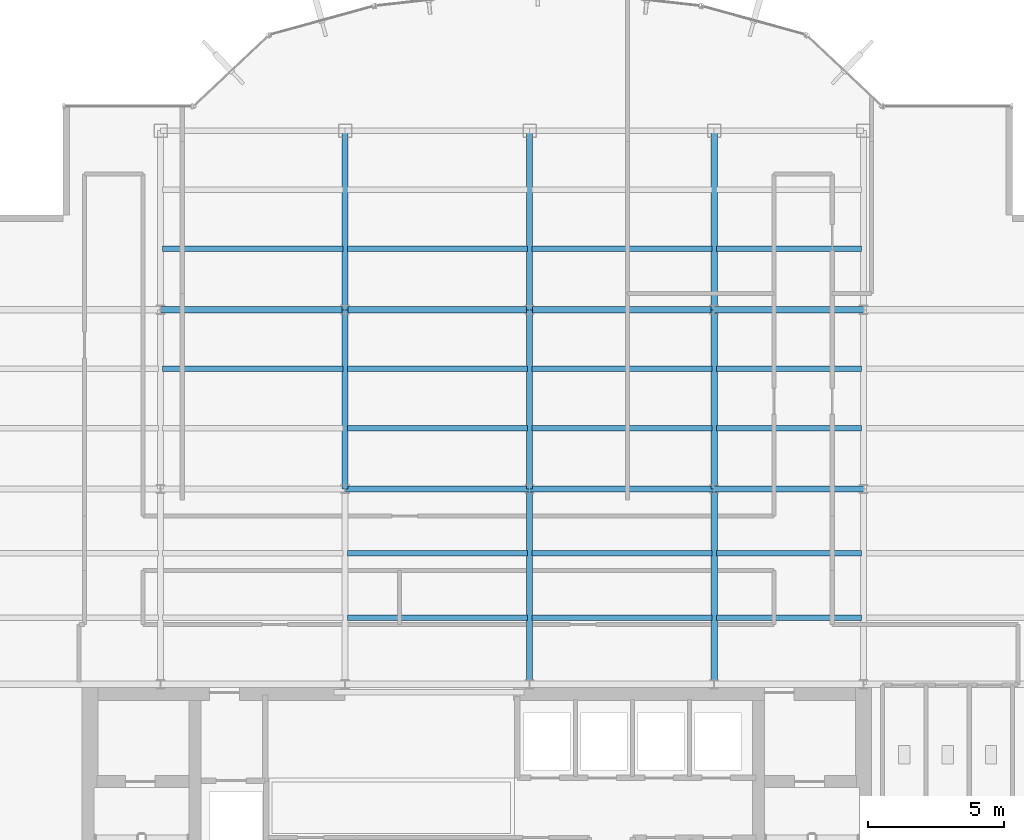
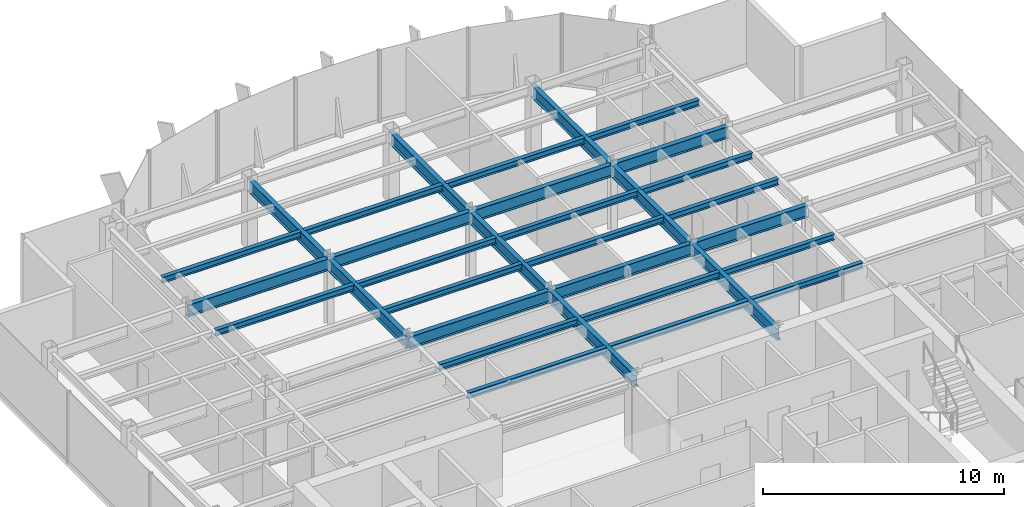
# One storey, part 8 of 22: 32 beams.
"""IFC4 building model written with IfcOpenShell, lengths in metres."""

from ifc_helpers import new_model, si_unit, derived_unit, direction, frame, origin, origin_2d, place, context, subcontext, project, spatial, i_section, extrude, source, transform, mapped, material, material_profile, profile_set, type_object, element, save


model = new_model("IFC4")

# Units and contexts
model_context = context("Model", 3, precision=1e-05, world=origin(), true_north=direction((0.0, 1.0)))
body_context = subcontext(model_context, "Body", "Model", "MODEL_VIEW")
ifc_project = project(units=[si_unit("LENGTHUNIT", "METRE"), si_unit("AREAUNIT", "SQUARE_METRE"), si_unit("VOLUMEUNIT", "CUBIC_METRE"), si_unit("PLANEANGLEUNIT", "RADIAN"), si_unit("MASSUNIT", "GRAM", prefix="KILO"), derived_unit("THERMALTRANSMITTANCEUNIT", [(si_unit("POWERUNIT", "WATT"), 1), (si_unit("LENGTHUNIT", "METRE"), -2), (si_unit("THERMODYNAMICTEMPERATUREUNIT", "KELVIN"), -1)])], contexts=[model_context])

# Site, building, storey
site_placement = place(None, origin())
site = spatial("IfcSite", under=ifc_project, at=site_placement, CompositionType="ELEMENT")
building_placement = place(site_placement, origin())
building = spatial("IfcBuilding", under=site, at=building_placement, Name="Skarnbrae Concourse Arena and Tower", CompositionType="ELEMENT")
storey_placement = place(building_placement, frame((0.0, 0.0, 240.550048828125)))
storey = spatial("IfcBuildingStorey", under=building, at=storey_placement, Name="L62", CompositionType="ELEMENT", Elevation=240.550048828125)

# Beams
ifc_material = material(Name="Steel CSA G40.21 350W", Category="steel")
ifc_material_profile_1 = material_profile(ifc_material, i_section(OverallWidth=0.22802734375, OverallDepth=0.60791015625, WebThickness=0.01123046875, FlangeThickness=0.017333984375, at=origin_2d()), Name="W610X113")
ifc_profile_set_1 = profile_set([ifc_material_profile_1], Name="Steel CSA G40.21 350W")
beam_type_1 = type_object("IfcBeamType", Name="BM-GIRD-W610X113", PredefinedType="BEAM", material=ifc_profile_set_1)
shared_shape_1 = source(origin(), body_context, "Body", "SweptSolid", [
    extrude(i_section(OverallWidth=0.22802734375, OverallDepth=0.60791015625, WebThickness=0.01123046875, FlangeThickness=0.017333984375, at=origin_2d()), origin(), (0.0, 0.0, 1.0), 6.60009765625),
])
for number, where, z_axis, x_axis, name in (
    (1, (14.39990234375, 21.199951171875, 3.095947265625), (0.0, 1.0, 0.0), (-1.0, 0.0, 0.0), "L62 Primary N-S girder X14.4-2"),
    (2, (21.199951171875, 21.199951171875, 3.095947265625), (0.0, 1.0, 0.0), (-1.0, 0.0, 0.0), "L62 Primary N-S girder X21.2-2"),
    (3, (28.0, 21.199951171875, 3.095947265625), (0.0, 1.0, 0.0), (-1.0, 0.0, 0.0), "L62 Primary N-S girder X28.0-2"),
):
    element("IfcBeam", number, at=place(storey_placement, frame(where, z_axis=z_axis, x_axis=x_axis)), inside=storey, type_object=beam_type_1, Name=name, PredefinedType="BEAM", context=body_context, shape_type="MappedRepresentation", body=[
        mapped(shared_shape_1, transform((0.0, 0.0, 0.0))),
    ])
shared_shape_2 = source(origin(), body_context, "Body", "SweptSolid", [
    extrude(i_section(OverallWidth=0.22802734375, OverallDepth=0.60791015625, WebThickness=0.01123046875, FlangeThickness=0.017333984375, at=origin_2d()), origin(), (0.0, 0.0, 1.0), 6.7998046875),
])
beam_placement = place(storey_placement, frame((7.60009765625, 27.800048828125, 3.095947265625), z_axis=(1.0, 0.0, 0.0), x_axis=(0.0, 1.0, 0.0)))
element("IfcBeam", 4, at=beam_placement, inside=storey, type_object=beam_type_1, Name="L62 Primary E-W girder Y27.8-2", PredefinedType="BEAM", context=body_context, shape_type="MappedRepresentation", body=[
    mapped(shared_shape_2, transform((0.0, 0.0, 0.0))),
])
shared_shape_3 = source(origin(), body_context, "Body", "SweptSolid", [
    extrude(i_section(OverallWidth=0.22802734375, OverallDepth=0.60791015625, WebThickness=0.01123046875, FlangeThickness=0.017333984375, at=origin_2d()), origin(), (0.0, 0.0, 1.0), 6.800048828125),
])
for number, where, z_axis, x_axis, name in (
    (5, (14.39990234375, 21.199951171875, 3.095947265625), (1.0, 0.0, 0.0), (0.0, 1.0, 0.0), "L62 Primary E-W girder Y21.2-3"),
    (6, (21.199951171875, 21.199951171875, 3.095947265625), (1.0, 0.0, 0.0), (0.0, 1.0, 0.0), "L62 Primary E-W girder Y21.2-4"),
    (7, (14.39990234375, 27.800048828125, 3.095947265625), (1.0, 0.0, 0.0), (0.0, 1.0, 0.0), "L62 Primary E-W girder Y27.8-3"),
    (8, (21.199951171875, 27.800048828125, 3.095947265625), (1.0, 0.0, 0.0), (0.0, 1.0, 0.0), "L62 Primary E-W girder Y27.8-4"),
):
    element("IfcBeam", number, at=place(storey_placement, frame(where, z_axis=z_axis, x_axis=x_axis)), inside=storey, type_object=beam_type_1, Name=name, PredefinedType="BEAM", context=body_context, shape_type="MappedRepresentation", body=[
        mapped(shared_shape_3, transform((0.0, 0.0, 0.0))),
    ])
shared_shape_4 = source(origin(), body_context, "Body", "SweptSolid", [
    extrude(i_section(OverallWidth=0.22802734375, OverallDepth=0.60791015625, WebThickness=0.01123046875, FlangeThickness=0.017333984375, at=origin_2d()), origin(), (0.0, 0.0, 1.0), 5.5),
])
for number, where, z_axis, x_axis, name in (
    (9, (28.0, 21.199951171875, 3.095947265625), (1.0, 0.0, 0.0), (0.0, 1.0, 0.0), "L62 Primary E-W girder Y21.2-5"),
    (10, (28.0, 27.800048828125, 3.095947265625), (1.0, 0.0, 0.0), (0.0, 1.0, 0.0), "L62 Primary E-W girder Y27.8-5"),
):
    element("IfcBeam", number, at=place(storey_placement, frame(where, z_axis=z_axis, x_axis=x_axis)), inside=storey, type_object=beam_type_1, Name=name, PredefinedType="BEAM", context=body_context, shape_type="MappedRepresentation", body=[
        mapped(shared_shape_4, transform((0.0, 0.0, 0.0))),
    ])
shared_shape_5 = source(origin(), body_context, "Body", "SweptSolid", [
    extrude(i_section(OverallWidth=0.22802734375, OverallDepth=0.60791015625, WebThickness=0.01123046875, FlangeThickness=0.017333984375, at=origin_2d()), origin(), (0.0, 0.0, 1.0), 7.199951171875),
])
for number, where, z_axis, x_axis, name in (
    (11, (21.199951171875, 14.0, 3.095947265625), (0.0, 1.0, 0.0), (-1.0, 0.0, 0.0), "L62 Primary N-S girder X21.2-1"),
    (12, (28.0, 14.0, 3.095947265625), (0.0, 1.0, 0.0), (-1.0, 0.0, 0.0), "L62 Primary N-S girder X28.0-1"),
):
    element("IfcBeam", number, at=place(storey_placement, frame(where, z_axis=z_axis, x_axis=x_axis)), inside=storey, type_object=beam_type_1, Name=name, PredefinedType="BEAM", context=body_context, shape_type="MappedRepresentation", body=[
        mapped(shared_shape_5, transform((0.0, 0.0, 0.0))),
    ])
shared_shape_6 = source(origin(), body_context, "Body", "SweptSolid", [
    extrude(i_section(OverallWidth=0.22802734375, OverallDepth=0.60791015625, WebThickness=0.01123046875, FlangeThickness=0.017333984375, at=origin_2d()), origin(), (0.0, 0.0, 1.0), 6.599853515625),
])
for number, where, z_axis, x_axis, name in (
    (13, (14.39990234375, 27.800048828125, 3.095947265625), (0.0, 1.0, 0.0), (-1.0, 0.0, 0.0), "L62 Primary N-S girder X14.4-3"),
    (14, (21.199951171875, 27.800048828125, 3.095947265625), (0.0, 1.0, 0.0), (-1.0, 0.0, 0.0), "L62 Primary N-S girder X21.2-3"),
    (15, (28.0, 27.800048828125, 3.095947265625), (0.0, 1.0, 0.0), (-1.0, 0.0, 0.0), "L62 Primary N-S girder X28.0-3"),
):
    element("IfcBeam", number, at=place(storey_placement, frame(where, z_axis=z_axis, x_axis=x_axis)), inside=storey, type_object=beam_type_1, Name=name, PredefinedType="BEAM", context=body_context, shape_type="MappedRepresentation", body=[
        mapped(shared_shape_6, transform((0.0, 0.0, 0.0))),
    ])
ifc_material_profile_2 = material_profile(ifc_material, i_section(OverallWidth=0.202880859375, OverallDepth=0.302978515625, WebThickness=0.007568359375, FlangeThickness=0.01318359375, at=origin_2d()), Name="W310X60")
ifc_profile_set_2 = profile_set([ifc_material_profile_2], Name="Steel CSA G40.21 350W")
beam_type_2 = type_object("IfcBeamType", Name="BM-JOIST-W310X60", PredefinedType="JOIST", material=ifc_profile_set_2)
shared_shape_7 = source(origin(), body_context, "Body", "SweptSolid", [
    extrude(i_section(OverallWidth=0.202880859375, OverallDepth=0.302978515625, WebThickness=0.007568359375, FlangeThickness=0.01318359375, at=origin_2d()), origin(), (0.0, 0.0, 1.0), 6.64013671875),
])
for number, where, z_axis, x_axis, name in (
    (16, (14.47998046875, 16.447998046875, 3.24853515625), (1.0, 0.0, 0.0), (0.0, 1.0, 0.0), "L62 Secondary floor joist 1.1.3"),
    (17, (14.47998046875, 18.823974609375, 3.24853515625), (1.0, 0.0, 0.0), (0.0, 1.0, 0.0), "L62 Secondary floor joist 1.2.3"),
    (18, (14.47998046875, 23.444091796875, 3.24853515625), (1.0, 0.0, 0.0), (0.0, 1.0, 0.0), "L62 Secondary floor joist 2.1.3"),
    (19, (7.679931640625, 25.6220703125, 3.24853515625), (1.0, 0.0, 0.0), (0.0, 1.0, 0.0), "L62 Secondary floor joist 2.2.2"),
    (20, (14.47998046875, 25.6220703125, 3.24853515625), (1.0, 0.0, 0.0), (0.0, 1.0, 0.0), "L62 Secondary floor joist 2.2.3"),
    (21, (7.679931640625, 30.0439453125, 3.24853515625), (1.0, 0.0, 0.0), (0.0, 1.0, 0.0), "L62 Secondary floor joist 3.1.1"),
    (22, (14.47998046875, 30.0439453125, 3.24853515625), (1.0, 0.0, 0.0), (0.0, 1.0, 0.0), "L62 Secondary floor joist 3.1.2"),
):
    element("IfcBeam", number, at=place(storey_placement, frame(where, z_axis=z_axis, x_axis=x_axis)), inside=storey, type_object=beam_type_2, Name=name, PredefinedType="JOIST", context=body_context, shape_type="MappedRepresentation", body=[
        mapped(shared_shape_7, transform((0.0, 0.0, 0.0))),
    ])
shared_shape_8 = source(origin(), body_context, "Body", "SweptSolid", [
    extrude(i_section(OverallWidth=0.202880859375, OverallDepth=0.302978515625, WebThickness=0.007568359375, FlangeThickness=0.01318359375, at=origin_2d()), origin(), (0.0, 0.0, 1.0), 6.639892578125),
])
for number, where, z_axis, x_axis, name in (
    (23, (21.280029296875, 16.447998046875, 3.24853515625), (1.0, 0.0, 0.0), (0.0, 1.0, 0.0), "L62 Secondary floor joist 1.1.4"),
    (24, (21.280029296875, 18.823974609375, 3.24853515625), (1.0, 0.0, 0.0), (0.0, 1.0, 0.0), "L62 Secondary floor joist 1.2.4"),
    (25, (21.280029296875, 23.444091796875, 3.24853515625), (1.0, 0.0, 0.0), (0.0, 1.0, 0.0), "L62 Secondary floor joist 2.1.4"),
    (26, (21.280029296875, 25.6220703125, 3.24853515625), (1.0, 0.0, 0.0), (0.0, 1.0, 0.0), "L62 Secondary floor joist 2.2.4"),
    (27, (21.280029296875, 30.0439453125, 3.24853515625), (1.0, 0.0, 0.0), (0.0, 1.0, 0.0), "L62 Secondary floor joist 3.1.3"),
):
    element("IfcBeam", number, at=place(storey_placement, frame(where, z_axis=z_axis, x_axis=x_axis)), inside=storey, type_object=beam_type_2, Name=name, PredefinedType="JOIST", context=body_context, shape_type="MappedRepresentation", body=[
        mapped(shared_shape_8, transform((0.0, 0.0, 0.0))),
    ])
shared_shape_9 = source(origin(), body_context, "Body", "SweptSolid", [
    extrude(i_section(OverallWidth=0.202880859375, OverallDepth=0.302978515625, WebThickness=0.007568359375, FlangeThickness=0.01318359375, at=origin_2d()), origin(), (0.0, 0.0, 1.0), 5.33984375),
])
for number, where, z_axis, x_axis, name in (
    (28, (28.080078125, 16.447998046875, 3.24853515625), (1.0, 0.0, 0.0), (0.0, 1.0, 0.0), "L62 Secondary floor joist 1.1.5"),
    (29, (28.080078125, 18.823974609375, 3.24853515625), (1.0, 0.0, 0.0), (0.0, 1.0, 0.0), "L62 Secondary floor joist 1.2.5"),
    (30, (28.080078125, 23.444091796875, 3.24853515625), (1.0, 0.0, 0.0), (0.0, 1.0, 0.0), "L62 Secondary floor joist 2.1.5"),
    (31, (28.080078125, 25.6220703125, 3.24853515625), (1.0, 0.0, 0.0), (0.0, 1.0, 0.0), "L62 Secondary floor joist 2.2.5"),
    (32, (28.080078125, 30.0439453125, 3.24853515625), (1.0, 0.0, 0.0), (0.0, 1.0, 0.0), "L62 Secondary floor joist 3.1.4"),
):
    element("IfcBeam", number, at=place(storey_placement, frame(where, z_axis=z_axis, x_axis=x_axis)), inside=storey, type_object=beam_type_2, Name=name, PredefinedType="JOIST", context=body_context, shape_type="MappedRepresentation", body=[
        mapped(shared_shape_9, transform((0.0, 0.0, 0.0))),
    ])

save(model, "model.ifc")
